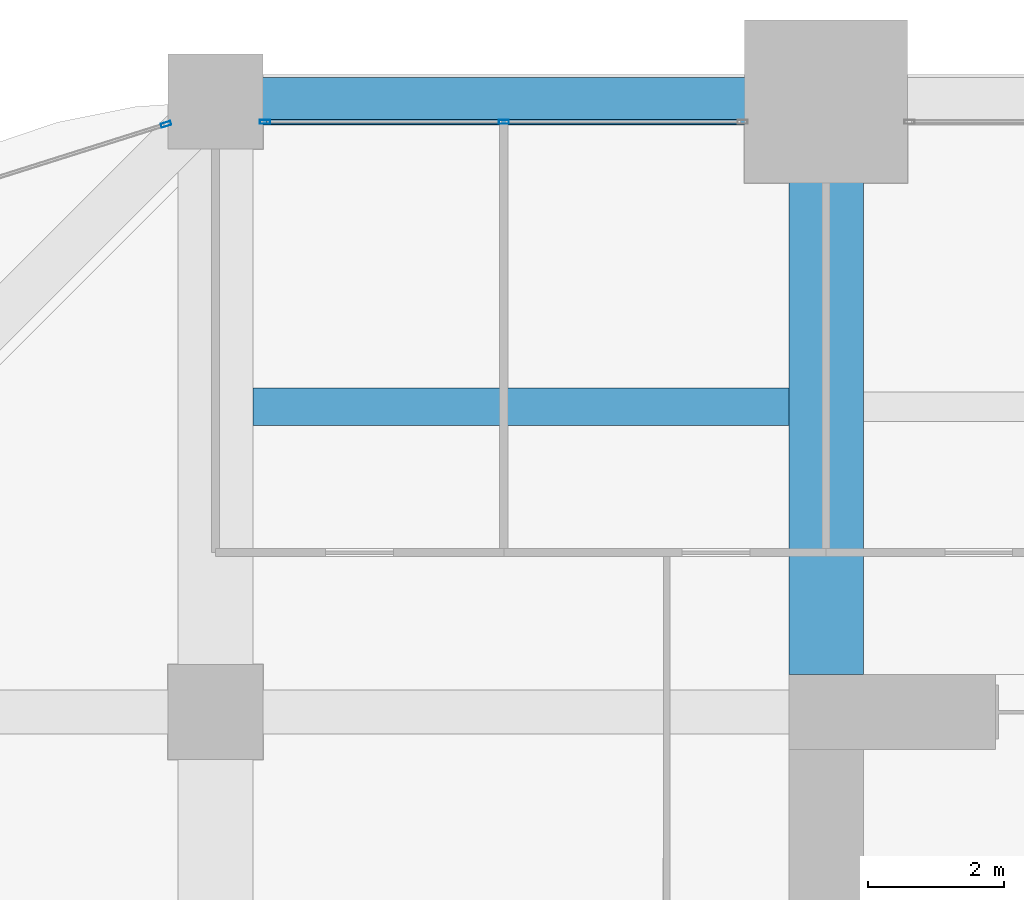
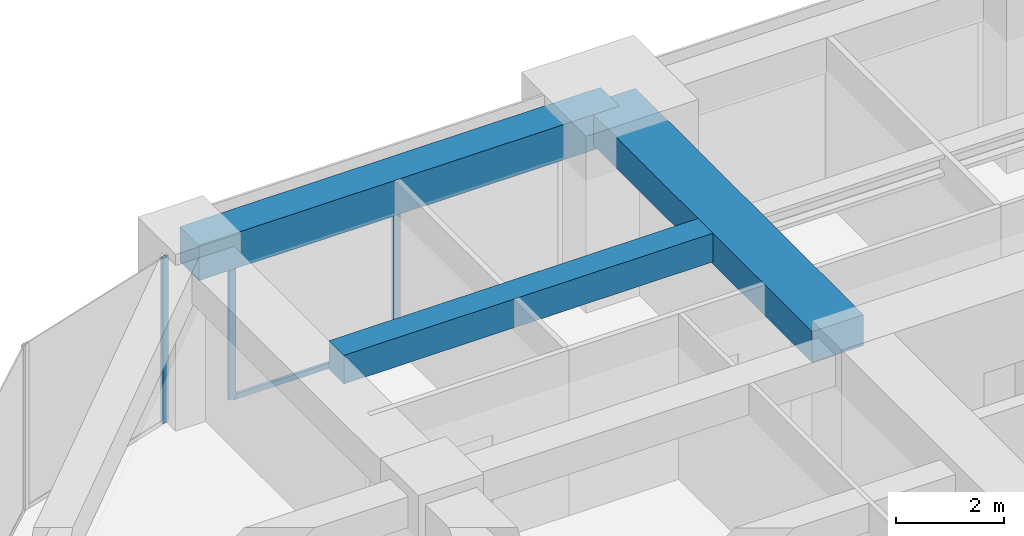
# One storey, part 23 of 34: 4 members, 3 beams, 2 elements without a shape of their own.
"""IFC4 building model written with IfcOpenShell, lengths in metres."""

from ifc_helpers import new_model, si_unit, direction, frame, origin, origin_2d, place, context, subcontext, project, spatial, rectangle, hollow_rectangle, extrude, material, material_profile, profile_set, type_object, element, aggregate, save


model = new_model("IFC4")

# Units and contexts
model_context = context("Model", 3, precision=1e-05, world=origin(), true_north=direction((0.0, 1.0)))
body_context = subcontext(model_context, "Body", "Model", "MODEL_VIEW")
ifc_project = project(units=[si_unit("LENGTHUNIT", "METRE"), si_unit("AREAUNIT", "SQUARE_METRE"), si_unit("VOLUMEUNIT", "CUBIC_METRE"), si_unit("PLANEANGLEUNIT", "RADIAN"), si_unit("MASSUNIT", "GRAM", prefix="KILO")], contexts=[model_context])

# Site, building, storey
site_placement = place(None, origin())
site = spatial("IfcSite", under=ifc_project, at=site_placement, CompositionType="ELEMENT")
building_placement = place(site_placement, origin())
building = spatial("IfcBuilding", under=site, at=building_placement, Name="Zorevar Civic Tower", CompositionType="ELEMENT")
storey_placement = place(building_placement, frame((0.0, 0.0, 214.199951171875)))
storey = spatial("IfcBuildingStorey", under=building, at=storey_placement, Name="L52", CompositionType="ELEMENT", Elevation=214.199951171875)

# Beams
ifc_material_1 = material(Name="Concrete C50/60", Category="concrete")
ifc_material_profile_1 = material_profile(ifc_material_1, rectangle(XDim=1.10009765625, YDim=0.699951171875, at=origin_2d()), Name="RC 1100x700")
ifc_profile_set_1 = profile_set([ifc_material_profile_1], Name="Concrete C50/60")
beam_type_1 = type_object("IfcBeamType", Name="Beam RC 1100x700", PredefinedType="BEAM", material=ifc_profile_set_1)
beam_1_placement = place(storey_placement, frame((18.0, 36.550048828125, 3.400146484375), z_axis=(0.0, 1.0, 0.0), x_axis=(-1.0, 0.0, 0.0)))
element("IfcBeam", 1, at=beam_1_placement, inside=storey, type_object=beam_type_1, Name="Girder L53", PredefinedType="BEAM", context=body_context, shape_type="SweptSolid", body=[
    extrude(rectangle(XDim=1.10009765625, YDim=0.699951171875, at=origin_2d()), origin(), (0.0, 0.0, 1.0), 8.449951171875),
])
ifc_material_2 = material(Name="Concrete C50/60", Category="concrete")
ifc_material_profile_2 = material_profile(ifc_material_2, rectangle(XDim=0.550048828125, YDim=0.64990234375, at=origin_2d()), Name="RC 550x650")
ifc_profile_set_2 = profile_set([ifc_material_profile_2], Name="Concrete C50/60")
beam_type_2 = type_object("IfcBeamType", Name="Beam RC 550x650", PredefinedType="BEAM", material=ifc_profile_set_2)
beam_2_placement = place(storey_placement, frame((9.550048828125, 40.5, 3.425048828125), z_axis=(1.0, 0.0, 0.0), x_axis=(0.0, 1.0, 0.0)))
element("IfcBeam", 2, at=beam_2_placement, inside=storey, type_object=beam_type_2, Name="Secondary beam L53", PredefinedType="BEAM", context=body_context, shape_type="SweptSolid", body=[
    extrude(rectangle(XDim=0.550048828125, YDim=0.64990234375, at=origin_2d()), origin(), (0.0, 0.0, 1.0), 7.89990234375),
])

# Curtain wall, members
ifc_material_3 = material(Name="Dark grey solar-control glass in black aluminium frame", Category="aluminium")
curtain_wall_type = type_object("IfcCurtainWallType", Name="Curtain wall CW4 high zone", PredefinedType="NOTDEFINED", material=ifc_material_3)
curtain_wall_1_placement = place(storey_placement, origin())
curtain_wall_1 = element("IfcCurtainWall", 3, at=curtain_wall_1_placement, inside=storey, type_object=curtain_wall_type, Name="CW4 L52", PredefinedType="NOTDEFINED")
ifc_material_4 = material(Name="Aluminium, black anodised", Category="aluminium")
ifc_material_profile_3 = material_profile(ifc_material_4, hollow_rectangle(XDim=0.06005859375, YDim=0.14990234375, WallThickness=0.00390625, at=origin_2d()), Name="AL 150x60x4")
ifc_profile_set_3 = profile_set([ifc_material_profile_3], Name="Aluminium, black anodised")
member_type_1 = type_object("IfcMemberType", Name="CW4 mullion AL 150x60x4", PredefinedType="MULLION", material=ifc_profile_set_3)
member_1_placement = place(storey_placement, frame((9.72998046875, 44.699951171875, 0.0), z_axis=(0.0, 0.0, 1.0), x_axis=(0.0, 1.0, 0.0)))
member_1 = element("IfcMember", 4, at=member_1_placement, type_object=member_type_1, Name="CW4 mullion 1", PredefinedType="MULLION", context=body_context, shape_type="SweptSolid", body=[
    extrude(hollow_rectangle(XDim=0.06005859375, YDim=0.14990234375, WallThickness=0.00390625, at=origin_2d()), origin(), (0.0, 0.0, 1.0), 2.949951171875),
])
member_2_placement = place(storey_placement, frame((13.25, 44.699951171875, 0.06005859375), z_axis=(0.0, 0.0, 1.0), x_axis=(0.0, 1.0, 0.0)))
member_2 = element("IfcMember", 5, at=member_2_placement, type_object=member_type_1, Name="CW4 mullion 2", PredefinedType="MULLION", context=body_context, shape_type="SweptSolid", body=[
    extrude(hollow_rectangle(XDim=0.06005859375, YDim=0.14990234375, WallThickness=0.00390625, at=origin_2d()), origin(), (0.0, 0.0, 1.0), 2.889892578125),
])

# Curtain wall, member
curtain_wall_2_placement = place(storey_placement, origin())
curtain_wall_2 = element("IfcCurtainWall", 6, at=curtain_wall_2_placement, inside=storey, type_object=curtain_wall_type, Name="CW4 L52", PredefinedType="NOTDEFINED")
member_3_placement = place(storey_placement, frame((8.271484375, 44.66259765625, 0.0), z_axis=(0.0, 0.0, 1.0), x_axis=(0.301108296077, -0.953589950678, 0.0)))
member_3 = element("IfcMember", 7, at=member_3_placement, type_object=member_type_1, Name="CW4 mullion 1", PredefinedType="MULLION", context=body_context, shape_type="SweptSolid", body=[
    extrude(hollow_rectangle(XDim=0.06005859375, YDim=0.14990234375, WallThickness=0.00390625, at=origin_2d()), origin(), (0.0, 0.0, 1.0), 3.75),
])
aggregate(curtain_wall_2, [member_3])

# Member
ifc_material_5 = material(Name="Aluminium, black anodised", Category="aluminium")
ifc_material_profile_4 = material_profile(ifc_material_5, hollow_rectangle(XDim=0.06005859375, YDim=0.1201171875, WallThickness=0.0029296875, at=origin_2d()), Name="AL 120x60x3")
ifc_profile_set_4 = profile_set([ifc_material_profile_4], Name="Aluminium, black anodised")
member_type_2 = type_object("IfcMemberType", Name="CW4 transom AL 120x60x3", PredefinedType="USERDEFINED", material=ifc_profile_set_4)
member_4_placement = place(storey_placement, frame((9.760009765625, 44.699951171875, 0.030029296875), z_axis=(1.0, 0.0, 0.0), x_axis=(0.0, 1.0, 0.0)))
member_4 = element("IfcMember", 8, at=member_4_placement, type_object=member_type_2, Name="CW4 sill transom", ObjectType="TRANSOM", PredefinedType="USERDEFINED", context=body_context, shape_type="SweptSolid", body=[
    extrude(hollow_rectangle(XDim=0.06005859375, YDim=0.1201171875, WallThickness=0.0029296875, at=origin_2d()), origin(), (0.0, 0.0, 1.0), 6.97998046875),
])

aggregate(curtain_wall_1, [member_1, member_2, member_4])

# Beam
ifc_material_6 = material(Name="Concrete C50/60", Category="concrete")
ifc_material_profile_5 = material_profile(ifc_material_6, rectangle(XDim=0.699951171875, YDim=0.800048828125, at=origin_2d()), Name="RC 700x800")
ifc_profile_set_5 = profile_set([ifc_material_profile_5], Name="Concrete C50/60")
beam_type_3 = type_object("IfcBeamType", Name="Edge beam RC 700x800", PredefinedType="SPANDREL", material=ifc_profile_set_5)
beam_3_placement = place(storey_placement, frame((9.0, 45.0, 3.35009765625), z_axis=(1.0, 0.0, 0.0), x_axis=(0.0, 1.0, 0.0)))
element("IfcBeam", 9, at=beam_3_placement, inside=storey, type_object=beam_type_3, Name="Edge beam L53", PredefinedType="SPANDREL", context=body_context, shape_type="SweptSolid", body=[
    extrude(rectangle(XDim=0.699951171875, YDim=0.800048828125, at=origin_2d()), origin(), (0.0, 0.0, 1.0), 9.0),
])

save(model, "model.ifc")
